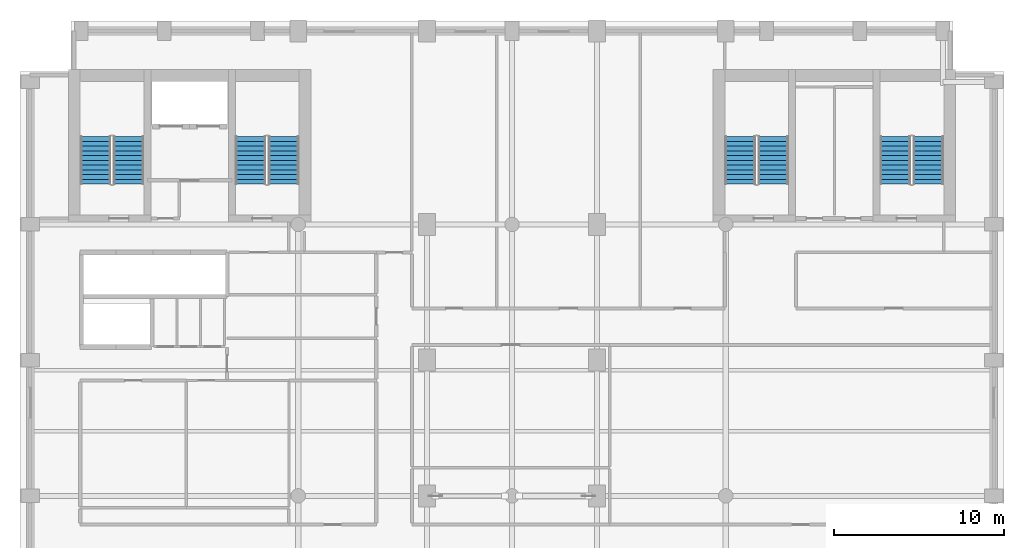
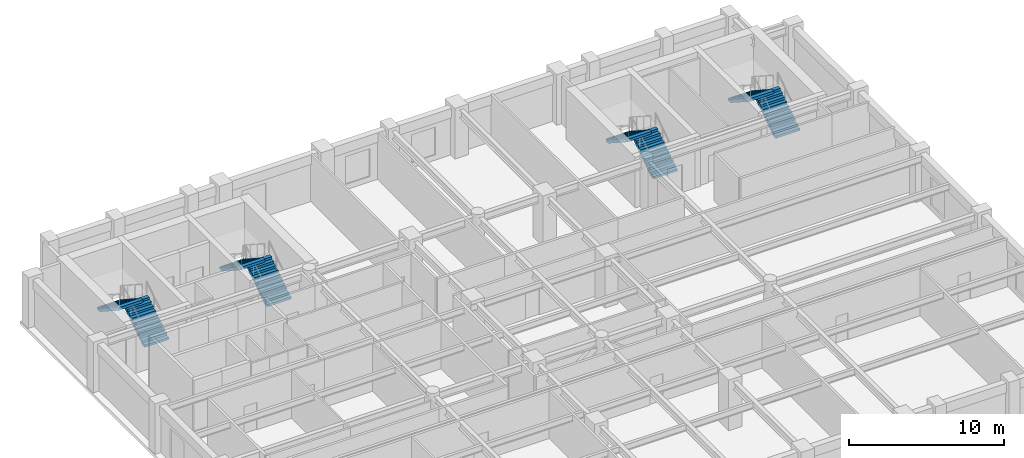
# One storey, part 8 of 10: 8 stair flights, 4 elements without a shape of their own.
"""IFC4 building model written with IfcOpenShell, lengths in metres."""

from ifc_helpers import new_model, si_unit, direction, frame, origin, place, context, subcontext, project, spatial, polyline, outline, extrude, material, type_object, element, aggregate, save


model = new_model("IFC4")

# Units and contexts
model_context = context("Model", 3, precision=1e-05, world=origin(), true_north=direction((0.0, 1.0)))
body_context = subcontext(model_context, "Body", "Model", "MODEL_VIEW")
ifc_project = project(units=[si_unit("LENGTHUNIT", "METRE"), si_unit("AREAUNIT", "SQUARE_METRE"), si_unit("VOLUMEUNIT", "CUBIC_METRE"), si_unit("PLANEANGLEUNIT", "RADIAN"), si_unit("MASSUNIT", "GRAM", prefix="KILO")], contexts=[model_context])

# Site, building, storey
site_placement = place(None, origin())
site = spatial("IfcSite", under=ifc_project, at=site_placement, CompositionType="ELEMENT")
building_placement = place(site_placement, origin())
building = spatial("IfcBuilding", under=site, at=building_placement, Name="Sulina Concourse Tower", CompositionType="ELEMENT")
storey_placement = place(building_placement, frame((0.0, 0.0, 214.60009765625)))
storey = spatial("IfcBuildingStorey", under=building, at=storey_placement, Name="L52", CompositionType="ELEMENT", Elevation=214.60009765625)

# Stair, stair flights
ifc_material_1 = material(Name="Concrete C50/60", Category="concrete")
stair_type_1 = type_object("IfcStairType", Name="Portal & Podium Core Exit Stair 1820mm", PredefinedType="HALF_TURN_STAIR", material=ifc_material_1)
stair_1_placement = place(storey_placement, origin())
stair_1 = element("IfcStair", 1, at=stair_1_placement, inside=storey, type_object=stair_type_1, Name="L52 ST-3", PredefinedType="HALF_TURN_STAIR")
ifc_material_2 = material(Name="Concrete C50/60", Category="concrete")
stair_flight_type_1 = type_object("IfcStairFlightType", Name="Portal & Podium Core Exit Stair 1820mm Flight", PredefinedType="STRAIGHT", material=ifc_material_2)
stair_flight_1_placement = place(storey_placement, frame((44.405029296875, 36.375, 0.0), z_axis=(0.0, 0.0, 1.0), x_axis=(0.0, 1.0, 0.0)))
stair_flight_1 = element("IfcStairFlight", 2, at=stair_flight_1_placement, type_object=stair_flight_type_1, Name="ST-3 flight 1", NumberOfRisers=11, NumberOfTreads=10, PredefinedType="STRAIGHT", RiserHeight=0.181818182, TreadLength=0.28, context=body_context, shape_type="SweptSolid", body=[
    extrude(outline(polyline([(0.0, 0.0), (0.0, 0.181884765625), (0.280029296875, 0.181884765625), (0.280029296875, 0.363525390625), (0.56005859375, 0.363525390625), (0.56005859375, 0.54541015625), (0.840087890625, 0.54541015625), (0.840087890625, 0.727294921875), (1.1201171875, 0.727294921875), (1.1201171875, 0.9091796875), (1.39990234375, 0.9091796875), (1.39990234375, 1.0908203125), (1.679931640625, 1.0908203125), (1.679931640625, 1.272705078125), (1.9599609375, 1.272705078125), (1.9599609375, 1.45458984375), (2.239990234375, 1.45458984375), (2.239990234375, 1.636474609375), (2.52001953125, 1.636474609375), (2.52001953125, 1.818115234375), (2.800048828125, 1.818115234375), (2.800048828125, 2.0), (2.800048828125, 1.603759765625), (0.330322265625, 0.0), (0.0, 0.0)])), frame((0.0, 0.89990234375, 0.0), z_axis=(0.0, -1.0, 0.0), x_axis=(1.0, 0.0, 0.0)), (0.0, 0.0, 1.0), 1.800048828125),
])
stair_flight_2_placement = place(storey_placement, frame((42.455078125, 39.175048828125, 2.0), z_axis=(0.0, 0.0, 1.0), x_axis=(0.0, -1.0, 0.0)))
stair_flight_2 = element("IfcStairFlight", 3, at=stair_flight_2_placement, type_object=stair_flight_type_1, Name="ST-3 flight 2", NumberOfRisers=11, NumberOfTreads=10, PredefinedType="STRAIGHT", RiserHeight=0.181818182, TreadLength=0.28, context=body_context, shape_type="SweptSolid", body=[
    extrude(outline(polyline([(0.0, 0.0), (0.0, 0.181884765625), (0.280029296875, 0.181884765625), (0.280029296875, 0.363525390625), (0.56005859375, 0.363525390625), (0.56005859375, 0.54541015625), (0.840087890625, 0.54541015625), (0.840087890625, 0.727294921875), (1.1201171875, 0.727294921875), (1.1201171875, 0.9091796875), (1.39990234375, 0.9091796875), (1.39990234375, 1.0908203125), (1.679931640625, 1.0908203125), (1.679931640625, 1.272705078125), (1.9599609375, 1.272705078125), (1.9599609375, 1.45458984375), (2.239990234375, 1.45458984375), (2.239990234375, 1.636474609375), (2.52001953125, 1.636474609375), (2.52001953125, 1.818115234375), (2.800048828125, 1.818115234375), (2.800048828125, 2.0), (2.800048828125, 1.603759765625), (0.330322265625, 0.0), (0.0, 0.0)])), frame((0.0, 0.89990234375, 0.0), z_axis=(0.0, -1.0, 0.0), x_axis=(1.0, 0.0, 0.0)), (0.0, 0.0, 1.0), 1.800048828125),
])
aggregate(stair_1, [stair_flight_1, stair_flight_2])

stair_2_placement = place(storey_placement, origin())
stair_2 = element("IfcStair", 4, at=stair_2_placement, inside=storey, type_object=stair_type_1, Name="L52 ST-4", PredefinedType="HALF_TURN_STAIR")
stair_flight_3_placement = place(storey_placement, frame((53.544921875, 36.375, 0.0), z_axis=(0.0, 0.0, 1.0), x_axis=(0.0, 1.0, 0.0)))
stair_flight_3 = element("IfcStairFlight", 5, at=stair_flight_3_placement, type_object=stair_flight_type_1, Name="ST-4 flight 1", NumberOfRisers=11, NumberOfTreads=10, PredefinedType="STRAIGHT", RiserHeight=0.181818182, TreadLength=0.28, context=body_context, shape_type="SweptSolid", body=[
    extrude(outline(polyline([(0.0, 0.0), (0.0, 0.181884765625), (0.280029296875, 0.181884765625), (0.280029296875, 0.363525390625), (0.56005859375, 0.363525390625), (0.56005859375, 0.54541015625), (0.840087890625, 0.54541015625), (0.840087890625, 0.727294921875), (1.1201171875, 0.727294921875), (1.1201171875, 0.9091796875), (1.39990234375, 0.9091796875), (1.39990234375, 1.0908203125), (1.679931640625, 1.0908203125), (1.679931640625, 1.272705078125), (1.9599609375, 1.272705078125), (1.9599609375, 1.45458984375), (2.239990234375, 1.45458984375), (2.239990234375, 1.636474609375), (2.52001953125, 1.636474609375), (2.52001953125, 1.818115234375), (2.800048828125, 1.818115234375), (2.800048828125, 2.0), (2.800048828125, 1.603759765625), (0.330322265625, 0.0), (0.0, 0.0)])), frame((0.0, 0.89990234375, 0.0), z_axis=(0.0, -1.0, 0.0), x_axis=(1.0, 0.0, 0.0)), (0.0, 0.0, 1.0), 1.800048828125),
])
stair_flight_4_placement = place(storey_placement, frame((51.594970703125, 39.175048828125, 2.0), z_axis=(0.0, 0.0, 1.0), x_axis=(0.0, -1.0, 0.0)))
stair_flight_4 = element("IfcStairFlight", 6, at=stair_flight_4_placement, type_object=stair_flight_type_1, Name="ST-4 flight 2", NumberOfRisers=11, NumberOfTreads=10, PredefinedType="STRAIGHT", RiserHeight=0.181818182, TreadLength=0.28, context=body_context, shape_type="SweptSolid", body=[
    extrude(outline(polyline([(0.0, 0.0), (0.0, 0.181884765625), (0.280029296875, 0.181884765625), (0.280029296875, 0.363525390625), (0.56005859375, 0.363525390625), (0.56005859375, 0.54541015625), (0.840087890625, 0.54541015625), (0.840087890625, 0.727294921875), (1.1201171875, 0.727294921875), (1.1201171875, 0.9091796875), (1.39990234375, 0.9091796875), (1.39990234375, 1.0908203125), (1.679931640625, 1.0908203125), (1.679931640625, 1.272705078125), (1.9599609375, 1.272705078125), (1.9599609375, 1.45458984375), (2.239990234375, 1.45458984375), (2.239990234375, 1.636474609375), (2.52001953125, 1.636474609375), (2.52001953125, 1.818115234375), (2.800048828125, 1.818115234375), (2.800048828125, 2.0), (2.800048828125, 1.603759765625), (0.330322265625, 0.0), (0.0, 0.0)])), frame((0.0, 0.89990234375, 0.0), z_axis=(0.0, -1.0, 0.0), x_axis=(1.0, 0.0, 0.0)), (0.0, 0.0, 1.0), 1.800048828125),
])
aggregate(stair_2, [stair_flight_3, stair_flight_4])

ifc_material_3 = material(Name="Concrete C50/60", Category="concrete")
stair_type_2 = type_object("IfcStairType", Name="Primary Core Dog-Leg Exit Stair 1800mm", PredefinedType="HALF_TURN_STAIR", material=ifc_material_3)
stair_3_placement = place(storey_placement, origin())
stair_3 = element("IfcStair", 7, at=stair_3_placement, inside=storey, type_object=stair_type_2, Name="L52 ST-1", PredefinedType="HALF_TURN_STAIR")
ifc_material_4 = material(Name="Concrete C50/60", Category="concrete")
stair_flight_type_2 = type_object("IfcStairFlightType", Name="Primary Core Dog-Leg Exit Stair 1800mm Flight", PredefinedType="STRAIGHT", material=ifc_material_4)
stair_flight_5_placement = place(storey_placement, frame((6.405029296875, 36.375, 0.0), z_axis=(0.0, 0.0, 1.0), x_axis=(0.0, 1.0, 0.0)))
stair_flight_5 = element("IfcStairFlight", 8, at=stair_flight_5_placement, type_object=stair_flight_type_2, Name="ST-1 flight 1", NumberOfRisers=11, NumberOfTreads=10, PredefinedType="STRAIGHT", RiserHeight=0.181818182, TreadLength=0.28, context=body_context, shape_type="SweptSolid", body=[
    extrude(outline(polyline([(0.0, 0.0), (0.0, 0.181884765625), (0.280029296875, 0.181884765625), (0.280029296875, 0.363525390625), (0.56005859375, 0.363525390625), (0.56005859375, 0.54541015625), (0.840087890625, 0.54541015625), (0.840087890625, 0.727294921875), (1.1201171875, 0.727294921875), (1.1201171875, 0.9091796875), (1.39990234375, 0.9091796875), (1.39990234375, 1.0908203125), (1.679931640625, 1.0908203125), (1.679931640625, 1.272705078125), (1.9599609375, 1.272705078125), (1.9599609375, 1.45458984375), (2.239990234375, 1.45458984375), (2.239990234375, 1.636474609375), (2.52001953125, 1.636474609375), (2.52001953125, 1.818115234375), (2.800048828125, 1.818115234375), (2.800048828125, 2.0), (2.800048828125, 1.603759765625), (0.330322265625, 0.0), (0.0, 0.0)])), frame((0.0, 0.89990234375, 0.0), z_axis=(0.0, -1.0, 0.0), x_axis=(1.0, 0.0, 0.0)), (0.0, 0.0, 1.0), 1.800048828125),
])
stair_flight_6_placement = place(storey_placement, frame((4.455078125, 39.175048828125, 2.0), z_axis=(0.0, 0.0, 1.0), x_axis=(0.0, -1.0, 0.0)))
stair_flight_6 = element("IfcStairFlight", 9, at=stair_flight_6_placement, type_object=stair_flight_type_2, Name="ST-1 flight 2", NumberOfRisers=11, NumberOfTreads=10, PredefinedType="STRAIGHT", RiserHeight=0.181818182, TreadLength=0.28, context=body_context, shape_type="SweptSolid", body=[
    extrude(outline(polyline([(0.0, 0.0), (0.0, 0.181884765625), (0.280029296875, 0.181884765625), (0.280029296875, 0.363525390625), (0.56005859375, 0.363525390625), (0.56005859375, 0.54541015625), (0.840087890625, 0.54541015625), (0.840087890625, 0.727294921875), (1.1201171875, 0.727294921875), (1.1201171875, 0.9091796875), (1.39990234375, 0.9091796875), (1.39990234375, 1.0908203125), (1.679931640625, 1.0908203125), (1.679931640625, 1.272705078125), (1.9599609375, 1.272705078125), (1.9599609375, 1.45458984375), (2.239990234375, 1.45458984375), (2.239990234375, 1.636474609375), (2.52001953125, 1.636474609375), (2.52001953125, 1.818115234375), (2.800048828125, 1.818115234375), (2.800048828125, 2.0), (2.800048828125, 1.603759765625), (0.330322265625, 0.0), (0.0, 0.0)])), frame((0.0, 0.89990234375, 0.0), z_axis=(0.0, -1.0, 0.0), x_axis=(1.0, 0.0, 0.0)), (0.0, 0.0, 1.0), 1.800048828125),
])
aggregate(stair_3, [stair_flight_5, stair_flight_6])

stair_4_placement = place(storey_placement, origin())
stair_4 = element("IfcStair", 10, at=stair_4_placement, inside=storey, type_object=stair_type_2, Name="L52 ST-2", PredefinedType="HALF_TURN_STAIR")
stair_flight_7_placement = place(storey_placement, frame((15.544921875, 36.375, 0.0), z_axis=(0.0, 0.0, 1.0), x_axis=(0.0, 1.0, 0.0)))
stair_flight_7 = element("IfcStairFlight", 11, at=stair_flight_7_placement, type_object=stair_flight_type_2, Name="ST-2 flight 1", NumberOfRisers=11, NumberOfTreads=10, PredefinedType="STRAIGHT", RiserHeight=0.181818182, TreadLength=0.28, context=body_context, shape_type="SweptSolid", body=[
    extrude(outline(polyline([(0.0, 0.0), (0.0, 0.181884765625), (0.280029296875, 0.181884765625), (0.280029296875, 0.363525390625), (0.56005859375, 0.363525390625), (0.56005859375, 0.54541015625), (0.840087890625, 0.54541015625), (0.840087890625, 0.727294921875), (1.1201171875, 0.727294921875), (1.1201171875, 0.9091796875), (1.39990234375, 0.9091796875), (1.39990234375, 1.0908203125), (1.679931640625, 1.0908203125), (1.679931640625, 1.272705078125), (1.9599609375, 1.272705078125), (1.9599609375, 1.45458984375), (2.239990234375, 1.45458984375), (2.239990234375, 1.636474609375), (2.52001953125, 1.636474609375), (2.52001953125, 1.818115234375), (2.800048828125, 1.818115234375), (2.800048828125, 2.0), (2.800048828125, 1.603759765625), (0.330322265625, 0.0), (0.0, 0.0)])), frame((0.0, 0.89990234375, 0.0), z_axis=(0.0, -1.0, 0.0), x_axis=(1.0, 0.0, 0.0)), (0.0, 0.0, 1.0), 1.800048828125),
])
stair_flight_8_placement = place(storey_placement, frame((13.594970703125, 39.175048828125, 2.0), z_axis=(0.0, 0.0, 1.0), x_axis=(0.0, -1.0, 0.0)))
stair_flight_8 = element("IfcStairFlight", 12, at=stair_flight_8_placement, type_object=stair_flight_type_2, Name="ST-2 flight 2", NumberOfRisers=11, NumberOfTreads=10, PredefinedType="STRAIGHT", RiserHeight=0.181818182, TreadLength=0.28, context=body_context, shape_type="SweptSolid", body=[
    extrude(outline(polyline([(0.0, 0.0), (0.0, 0.181884765625), (0.280029296875, 0.181884765625), (0.280029296875, 0.363525390625), (0.56005859375, 0.363525390625), (0.56005859375, 0.54541015625), (0.840087890625, 0.54541015625), (0.840087890625, 0.727294921875), (1.1201171875, 0.727294921875), (1.1201171875, 0.9091796875), (1.39990234375, 0.9091796875), (1.39990234375, 1.0908203125), (1.679931640625, 1.0908203125), (1.679931640625, 1.272705078125), (1.9599609375, 1.272705078125), (1.9599609375, 1.45458984375), (2.239990234375, 1.45458984375), (2.239990234375, 1.636474609375), (2.52001953125, 1.636474609375), (2.52001953125, 1.818115234375), (2.800048828125, 1.818115234375), (2.800048828125, 2.0), (2.800048828125, 1.603759765625), (0.330322265625, 0.0), (0.0, 0.0)])), frame((0.0, 0.89990234375, 0.0), z_axis=(0.0, -1.0, 0.0), x_axis=(1.0, 0.0, 0.0)), (0.0, 0.0, 1.0), 1.800048828125),
])
aggregate(stair_4, [stair_flight_7, stair_flight_8])

save(model, "model.ifc")
